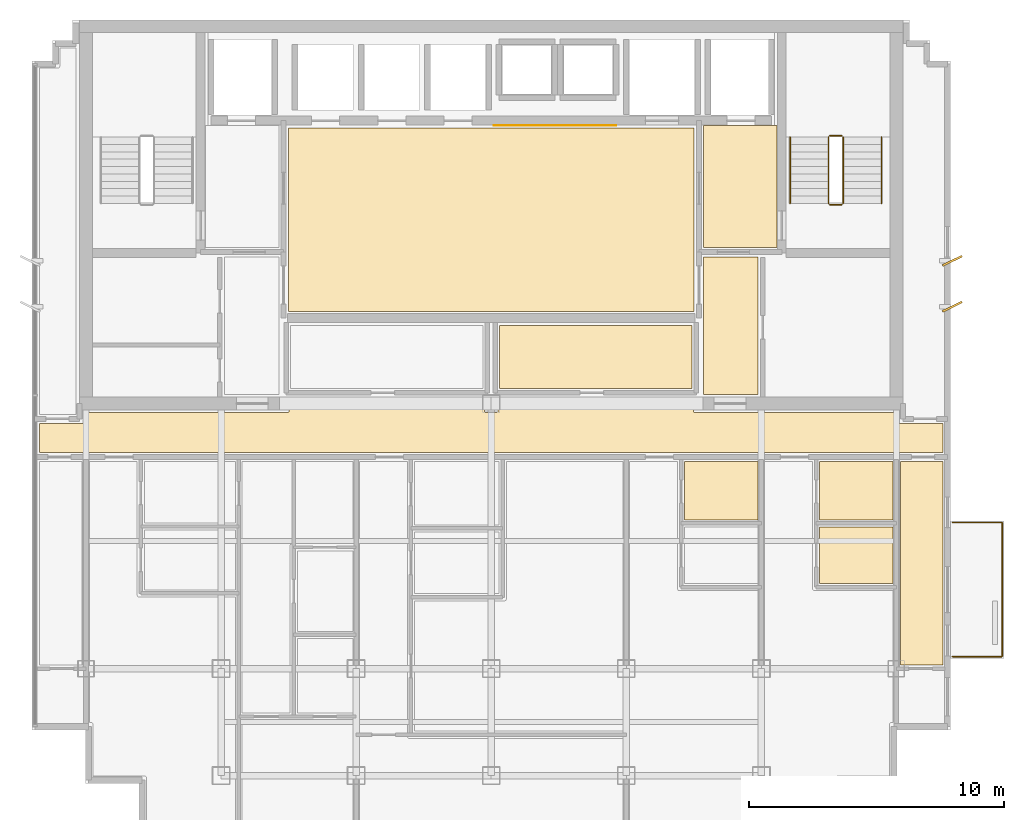
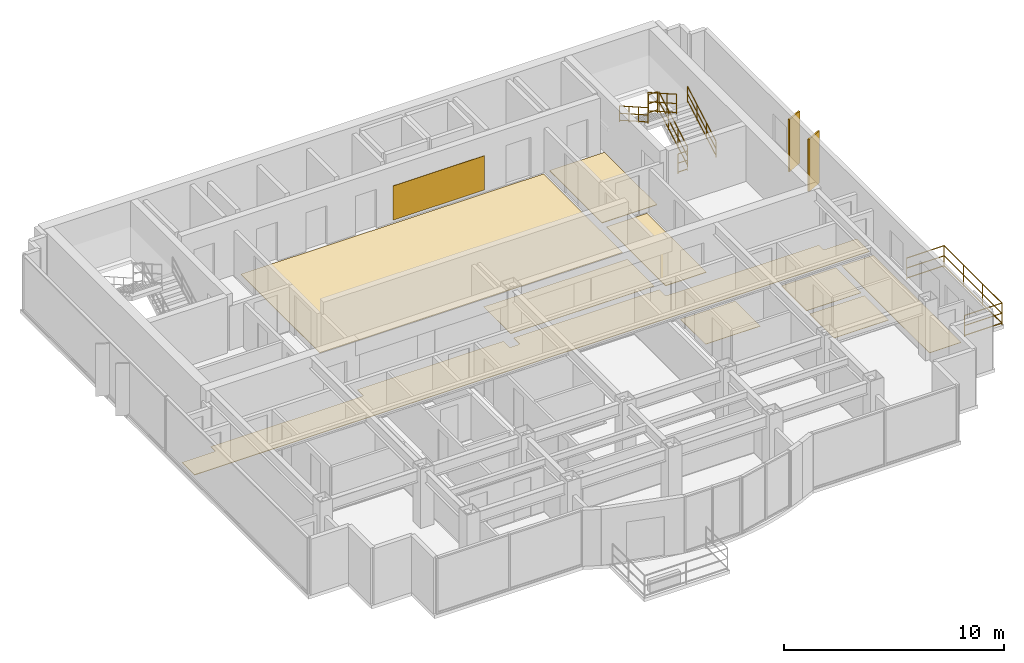
# One storey, part 9 of 9: 10 coverings, 7 railings, 2 shading devices.
"""IFC4 building model written with IfcOpenShell, lengths in metres."""

from ifc_helpers import new_model, si_unit, direction, frame, origin, origin_2d, place, context, subcontext, project, spatial, polyline, rectangle, circle, outline, extrude, source, transform, mapped, material, layer, layer_set, type_object, element, save


model = new_model("IFC4")

# Units and contexts
model_context = context("Model", 3, precision=1e-05, world=origin(), true_north=direction((0.0, 1.0)))
body_context = subcontext(model_context, "Body", "Model", "MODEL_VIEW")
ifc_project = project(units=[si_unit("LENGTHUNIT", "METRE"), si_unit("AREAUNIT", "SQUARE_METRE"), si_unit("VOLUMEUNIT", "CUBIC_METRE"), si_unit("PLANEANGLEUNIT", "RADIAN"), si_unit("MASSUNIT", "GRAM", prefix="KILO")], contexts=[model_context])

# Site, building, storey
site_placement = place(None, origin())
site = spatial("IfcSite", under=ifc_project, at=site_placement, CompositionType="ELEMENT")
building_placement = place(site_placement, origin())
building = spatial("IfcBuilding", under=site, at=building_placement, Name="Qianlan Lanfeng Residences", CompositionType="ELEMENT")
storey_placement = place(building_placement, frame((0.0, 0.0, 246.199951171875)))
storey = spatial("IfcBuildingStorey", under=building, at=storey_placement, Name="L68", CompositionType="ELEMENT", Elevation=246.199951171875)

# Coverings
ifc_material_1 = material(Name="Anodised Bronze Feature Wall Cladding")
ifc_layer_1 = layer(ifc_material_1, 0.02490234375)
ifc_layer_set_1 = layer_set([ifc_layer_1], Name="Anodised Bronze Feature Wall Cladding")
covering_type_1 = type_object("IfcCoveringType", Name="CLD-BRZ-25", PredefinedType="CLADDING", material=ifc_layer_set_1)
covering_1_placement = place(storey_placement, frame((0.0, 0.0, 0.150146484375)))
element("IfcCovering", 1, at=covering_1_placement, inside=storey, type_object=covering_type_1, Name="L68 Lift Lobby Bronze Feature Cladding", PredefinedType="CLADDING", context=body_context, shape_type="SweptSolid", body=[
    extrude(outline(polyline([(26.60009765625, 36.10009765625), (31.39990234375, 36.10009765625), (31.39990234375, 36.125), (26.60009765625, 36.125), (26.60009765625, 36.10009765625)])), origin(), (0.0, 0.0, 1.0), 1.89990234375),
])
ifc_material_2 = material(Name="Honed Taitung Granite Stone Flooring", Category="masonry")
ifc_layer_2 = layer(ifc_material_2, 0.030029296875)
ifc_layer_set_2 = layer_set([ifc_layer_2], Name="Honed Taitung Granite Stone Flooring")
covering_type_2 = type_object("IfcCoveringType", Name="FLR-STN-30", PredefinedType="FLOORING", material=ifc_layer_set_2)
covering_2_placement = place(storey_placement, origin())
element("IfcCovering", 2, at=covering_2_placement, inside=storey, type_object=covering_type_2, Name="L68 Firefighting Lift Lobby Floor Finish", PredefinedType="FLOORING", context=body_context, shape_type="SweptSolid", body=[
    extrude(outline(polyline([(34.820068359375, 31.320068359375), (37.7099609375, 31.320068359375), (37.7099609375, 36.110107421875), (34.820068359375, 36.110107421875), (34.820068359375, 31.320068359375)])), origin(), (0.0, 0.0, 1.0), 0.030029296875),
])
covering_3_placement = place(storey_placement, origin())
element("IfcCovering", 3, at=covering_3_placement, inside=storey, type_object=covering_type_2, Name="L68 Lift Lobby Floor Finish", PredefinedType="FLOORING", context=body_context, shape_type="SweptSolid", body=[
    extrude(outline(polyline([(18.550048828125, 28.820068359375), (34.449951171875, 28.820068359375), (34.449951171875, 36.010009765625), (18.550048828125, 36.010009765625), (18.550048828125, 28.820068359375)])), origin(), (0.0, 0.0, 1.0), 0.030029296875),
])
covering_4_placement = place(storey_placement, origin())
element("IfcCovering", 4, at=covering_4_placement, inside=storey, type_object=covering_type_2, Name="L68 Residential Corridor Floor Finish", PredefinedType="FLOORING", context=body_context, shape_type="SweptSolid", body=[
    extrude(outline(polyline([(8.77001953125, 23.280029296875), (44.22998046875, 23.280029296875), (44.22998046875, 24.419921875), (42.5400390625, 24.419921875), (42.532958984375, 24.419921875), (42.52587890625, 24.4208984375), (42.52001953125, 24.423095703125), (42.512939453125, 24.425048828125), (42.507080078125, 24.427978515625), (42.5009765625, 24.431884765625), (42.49609375, 24.43603515625), (42.490966796875, 24.44091796875), (42.486083984375, 24.446044921875), (42.48193359375, 24.450927734375), (42.47802734375, 24.45703125), (42.47509765625, 24.462890625), (42.472900390625, 24.469970703125), (42.470947265625, 24.47607421875), (42.469970703125, 24.48291015625), (42.469970703125, 24.489990234375), (42.469970703125, 24.85009765625), (34.5, 24.85009765625), (34.492919921875, 24.85009765625), (34.486083984375, 24.85107421875), (34.47998046875, 24.85302734375), (34.472900390625, 24.85498046875), (34.467041015625, 24.85791015625), (34.4609375, 24.862060546875), (34.4560546875, 24.865966796875), (34.450927734375, 24.87109375), (34.446044921875, 24.8759765625), (34.44189453125, 24.881103515625), (34.43798828125, 24.886962890625), (34.43505859375, 24.89306640625), (34.43310546875, 24.89990234375), (34.430908203125, 24.906005859375), (34.429931640625, 24.9130859375), (34.429931640625, 24.919921875), (34.429931640625, 25.429931640625), (26.77001953125, 25.429931640625), (26.77001953125, 24.919921875), (26.77001953125, 24.9130859375), (26.76904296875, 24.906005859375), (26.76708984375, 24.89990234375), (26.764892578125, 24.89306640625), (26.761962890625, 24.886962890625), (26.758056640625, 24.881103515625), (26.75390625, 24.8759765625), (26.7490234375, 24.87109375), (26.743896484375, 24.865966796875), (26.739013671875, 24.862060546875), (26.73291015625, 24.85791015625), (26.72705078125, 24.85498046875), (26.719970703125, 24.85302734375), (26.714111328125, 24.85107421875), (26.70703125, 24.85009765625), (26.699951171875, 24.85009765625), (26.300048828125, 24.85009765625), (26.29296875, 24.85009765625), (26.285888671875, 24.85107421875), (26.280029296875, 24.85302734375), (26.27294921875, 24.85498046875), (26.26708984375, 24.85791015625), (26.260986328125, 24.862060546875), (26.256103515625, 24.865966796875), (26.2509765625, 24.87109375), (26.24609375, 24.8759765625), (26.241943359375, 24.881103515625), (26.238037109375, 24.886962890625), (26.235107421875, 24.89306640625), (26.23291015625, 24.89990234375), (26.23095703125, 24.906005859375), (26.22998046875, 24.9130859375), (26.22998046875, 24.919921875), (26.22998046875, 25.429931640625), (18.570068359375, 25.429931640625), (18.570068359375, 24.919921875), (18.570068359375, 24.9130859375), (18.569091796875, 24.906005859375), (18.56689453125, 24.89990234375), (18.56494140625, 24.89306640625), (18.56201171875, 24.886962890625), (18.55810546875, 24.881103515625), (18.553955078125, 24.8759765625), (18.549072265625, 24.87109375), (18.5439453125, 24.865966796875), (18.5390625, 24.862060546875), (18.532958984375, 24.85791015625), (18.527099609375, 24.85498046875), (18.52001953125, 24.85302734375), (18.513916015625, 24.85107421875), (18.507080078125, 24.85009765625), (18.5, 24.85009765625), (10.530029296875, 24.85009765625), (10.530029296875, 24.489990234375), (10.530029296875, 24.48291015625), (10.529052734375, 24.47607421875), (10.527099609375, 24.469970703125), (10.52490234375, 24.462890625), (10.52197265625, 24.45703125), (10.51806640625, 24.450927734375), (10.513916015625, 24.446044921875), (10.509033203125, 24.44091796875), (10.50390625, 24.43603515625), (10.4990234375, 24.431884765625), (10.492919921875, 24.427978515625), (10.487060546875, 24.425048828125), (10.47998046875, 24.423095703125), (10.47412109375, 24.4208984375), (10.467041015625, 24.419921875), (10.4599609375, 24.419921875), (8.77001953125, 24.419921875), (8.77001953125, 23.280029296875)])), origin(), (0.0, 0.0, 1.0), 0.030029296875),
])
covering_5_placement = place(storey_placement, origin())
element("IfcCovering", 5, at=covering_5_placement, inside=storey, type_object=covering_type_2, Name="L68 Lift Lobby Floor Finish", PredefinedType="FLOORING", context=body_context, shape_type="SweptSolid", body=[
    extrude(outline(polyline([(34.830078125, 25.56005859375), (36.969970703125, 25.56005859375), (36.969970703125, 30.949951171875), (34.830078125, 30.949951171875), (34.830078125, 25.56005859375)])), origin(), (0.0, 0.0, 1.0), 0.030029296875),
])
ifc_material_3 = material(Name="Slip-Resistant Porcelain Tile Flooring")
ifc_layer_3 = layer(ifc_material_3, 0.02001953125)
ifc_layer_set_3 = layer_set([ifc_layer_3], Name="Slip-Resistant Porcelain Tile Flooring")
covering_type_3 = type_object("IfcCoveringType", Name="FLR-TIL-20", PredefinedType="FLOORING", material=ifc_layer_set_3)
covering_6_placement = place(storey_placement, origin())
element("IfcCovering", 6, at=covering_6_placement, inside=storey, type_object=covering_type_3, Name="L68 Bathroom Floor Finish", PredefinedType="FLOORING", context=body_context, shape_type="SweptSolid", body=[
    extrude(outline(polyline([(34.090087890625, 20.639892578125), (36.9599609375, 20.639892578125), (36.9599609375, 22.929931640625), (34.090087890625, 22.929931640625), (34.090087890625, 20.639892578125)])), origin(), (0.0, 0.0, 1.0), 0.02001953125),
])
covering_7_placement = place(storey_placement, origin())
element("IfcCovering", 7, at=covering_7_placement, inside=storey, type_object=covering_type_3, Name="L68 Kitchen Floor Finish", PredefinedType="FLOORING", context=body_context, shape_type="SweptSolid", body=[
    extrude(outline(polyline([(39.389892578125, 18.139892578125), (42.260009765625, 18.139892578125), (42.260009765625, 20.360107421875), (39.389892578125, 20.360107421875), (39.389892578125, 18.139892578125)])), origin(), (0.0, 0.0, 1.0), 0.02001953125),
])
covering_8_placement = place(storey_placement, origin())
element("IfcCovering", 8, at=covering_8_placement, inside=storey, type_object=covering_type_3, Name="L68 Bathroom Floor Finish", PredefinedType="FLOORING", context=body_context, shape_type="SweptSolid", body=[
    extrude(outline(polyline([(39.389892578125, 20.639892578125), (42.260009765625, 20.639892578125), (42.260009765625, 22.929931640625), (39.389892578125, 22.929931640625), (39.389892578125, 20.639892578125)])), origin(), (0.0, 0.0, 1.0), 0.02001953125),
])
ifc_material_4 = material(Name="Engineered Smoked Oak Timber Flooring", Category="wood")
ifc_layer_4 = layer(ifc_material_4, 0.02197265625)
ifc_layer_set_4 = layer_set([ifc_layer_4], Name="Engineered Smoked Oak Timber Flooring")
covering_type_4 = type_object("IfcCoveringType", Name="FLR-TIM-22", PredefinedType="FLOORING", material=ifc_layer_set_4)
covering_9_placement = place(storey_placement, origin())
element("IfcCovering", 9, at=covering_9_placement, inside=storey, type_object=covering_type_4, Name="L68 Tea Room Floor Finish", PredefinedType="FLOORING", context=body_context, shape_type="SweptSolid", body=[
    extrude(outline(polyline([(26.830078125, 25.800048828125), (34.3701171875, 25.800048828125), (34.3701171875, 28.2548828125), (26.830078125, 28.2548828125), (26.830078125, 25.800048828125)])), origin(), (0.0, 0.0, 1.0), 0.02197265625),
])
covering_10_placement = place(storey_placement, origin())
element("IfcCovering", 10, at=covering_10_placement, inside=storey, type_object=covering_type_4, Name="L68 Private Study Floor Finish", PredefinedType="FLOORING", context=body_context, shape_type="SweptSolid", body=[
    extrude(outline(polyline([(44.22998046875, 22.929931640625), (42.56005859375, 22.929931640625), (42.56005859375, 14.949951171875), (44.22998046875, 14.949951171875), (44.22998046875, 22.929931640625)])), origin(), (0.0, 0.0, 1.0), 0.02197265625),
])

# Railings
ifc_material_5 = material(Name="Anodised Bronze Aluminium and Laminated Glass Guard Balustrade", Category="aluminium")
railing_type_1 = type_object("IfcRailingType", Name="GR-EXT-1220", PredefinedType="BALUSTRADE", material=ifc_material_5)
railing_1_placement = place(storey_placement, frame((44.590087890625, 20.530029296875, 0.0)))
element("IfcRailing", 11, at=railing_1_placement, inside=storey, type_object=railing_type_1, Name="L68 Terrace Safety Guard GR-L68-EB-S", PredefinedType="BALUSTRADE", context=body_context, shape_type="SweptSolid", body=[
    extrude(circle(Radius=0.02490234375, at=origin_2d()), frame((0.0, 0.0, 0.0849609375), z_axis=(1.0, 0.0, 0.0), x_axis=(0.0, 1.0, 0.0)), (0.0, 0.0, 1.0), 1.9599609375),
    extrude(circle(Radius=0.02490234375, at=origin_2d()), frame((0.0, 0.0, 0.63427734375), z_axis=(1.0, 0.0, 0.0), x_axis=(0.0, 1.0, 0.0)), (0.0, 0.0, 1.0), 1.9599609375),
    extrude(circle(Radius=0.02490234375, at=origin_2d()), frame((0.0, 0.0, 1.19482421875), z_axis=(1.0, 0.0, 0.0), x_axis=(0.0, 1.0, 0.0)), (0.0, 0.0, 1.0), 1.9599609375),
    extrude(circle(Radius=0.02490234375, at=origin_2d()), frame((1.9599609375, 0.0, 0.0849609375), z_axis=(0.0, -1.0, 0.0), x_axis=(1.0, 0.0, 0.0)), (0.0, 0.0, 1.0), 5.260009765625),
    extrude(circle(Radius=0.02490234375, at=origin_2d()), frame((1.9599609375, 0.0, 0.63427734375), z_axis=(0.0, -1.0, 0.0), x_axis=(1.0, 0.0, 0.0)), (0.0, 0.0, 1.0), 5.260009765625),
    extrude(circle(Radius=0.02490234375, at=origin_2d()), frame((1.9599609375, 0.0, 1.19482421875), z_axis=(0.0, -1.0, 0.0), x_axis=(1.0, 0.0, 0.0)), (0.0, 0.0, 1.0), 5.260009765625),
    extrude(circle(Radius=0.02490234375, at=origin_2d()), frame((1.9599609375, -5.260009765625, 0.0849609375), z_axis=(-1.0, 0.0, 0.0), x_axis=(0.0, -1.0, 0.0)), (0.0, 0.0, 1.0), 1.9599609375),
    extrude(circle(Radius=0.02490234375, at=origin_2d()), frame((1.9599609375, -5.260009765625, 0.63427734375), z_axis=(-1.0, 0.0, 0.0), x_axis=(0.0, -1.0, 0.0)), (0.0, 0.0, 1.0), 1.9599609375),
    extrude(circle(Radius=0.02490234375, at=origin_2d()), frame((1.9599609375, -5.260009765625, 1.19482421875), z_axis=(-1.0, 0.0, 0.0), x_axis=(0.0, -1.0, 0.0)), (0.0, 0.0, 1.0), 1.9599609375),
    extrude(circle(Radius=0.02099609375, at=origin_2d()), origin(), (0.0, 0.0, 1.0), 1.169921875),
    extrude(circle(Radius=0.02099609375, at=origin_2d()), frame((1.9599609375, 0.0, 0.0)), (0.0, 0.0, 1.0), 1.169921875),
    extrude(circle(Radius=0.02099609375, at=origin_2d()), frame((1.9599609375, -1.75341796875, 0.0)), (0.0, 0.0, 1.0), 1.169921875),
    extrude(circle(Radius=0.02099609375, at=origin_2d()), frame((1.9599609375, -3.506591796875, 0.0)), (0.0, 0.0, 1.0), 1.169921875),
    extrude(circle(Radius=0.02099609375, at=origin_2d()), frame((1.9599609375, -5.260009765625, 0.0)), (0.0, 0.0, 1.0), 1.169921875),
    extrude(circle(Radius=0.02099609375, at=origin_2d()), frame((0.0, -5.260009765625, 0.0)), (0.0, 0.0, 1.0), 1.169921875),
])
ifc_material_6 = material(Name="Painted Galvanised Steel Guardrail", Category="steel")
railing_type_2 = type_object("IfcRailingType", Name="GR-ST-1120", PredefinedType="GUARDRAIL", material=ifc_material_6)
railing_2_placement = place(storey_placement, frame((40.31005859375, 33.050048828125, 0.1650390625)))
element("IfcRailing", 12, at=railing_2_placement, inside=storey, type_object=railing_type_2, Name="L68 ST-2 stair guard 1", PredefinedType="GUARDRAIL", context=body_context, shape_type="SweptSolid", body=[
    extrude(circle(Radius=0.02392578125, at=origin_2d()), frame((0.0, 0.0, 0.083984375), z_axis=(0.0, 0.869137319866, 0.494570843475), x_axis=(-1.0, 0.0, 0.0)), (0.0, 0.0, 1.0), 3.0029296875),
    extrude(circle(Radius=0.02392578125, at=origin_2d()), frame((0.0, 0.0, 0.58251953125), z_axis=(0.0, 0.869137319866, 0.494570843475), x_axis=(-1.0, 0.0, 0.0)), (0.0, 0.0, 1.0), 3.0029296875),
    extrude(circle(Radius=0.02392578125, at=origin_2d()), frame((0.0, 0.0, 1.09619140625), z_axis=(0.0, 0.869137319866, 0.494570843475), x_axis=(-1.0, 0.0, 0.0)), (0.0, 0.0, 1.0), 3.0029296875),
    extrude(circle(Radius=0.02099609375, at=origin_2d()), origin(), (0.0, 0.0, 1.0), 1.072021484375),
    extrude(circle(Radius=0.02099609375, at=origin_2d()), frame((0.0, 0.869873046875, 0.4951171875)), (0.0, 0.0, 1.0), 1.072021484375),
    extrude(circle(Radius=0.02099609375, at=origin_2d()), frame((0.0, 1.739990234375, 0.989990234375)), (0.0, 0.0, 1.0), 1.072021484375),
    extrude(circle(Radius=0.02099609375, at=origin_2d()), frame((0.0, 2.60986328125, 1.485107421875)), (0.0, 0.0, 1.0), 1.072021484375),
])
railing_3_placement = place(storey_placement, frame((40.260009765625, 35.7099609375, 1.650146484375)))
element("IfcRailing", 13, at=railing_3_placement, inside=storey, type_object=railing_type_2, Name="L68 ST-2 stair guard 2", PredefinedType="GUARDRAIL", context=body_context, shape_type="SweptSolid", body=[
    extrude(circle(Radius=0.02392578125, at=origin_2d()), frame((0.0, 0.0, 0.083984375), z_axis=(-1.0, 0.0, 0.0), x_axis=(0.0, -1.0, 0.0)), (0.0, 0.0, 1.0), 0.47998046875),
    extrude(circle(Radius=0.02392578125, at=origin_2d()), frame((0.0, 0.0, 0.58251953125), z_axis=(-1.0, 0.0, 0.0), x_axis=(0.0, -1.0, 0.0)), (0.0, 0.0, 1.0), 0.47998046875),
    extrude(circle(Radius=0.02392578125, at=origin_2d()), frame((0.0, 0.0, 1.09619140625), z_axis=(-1.0, 0.0, 0.0), x_axis=(0.0, -1.0, 0.0)), (0.0, 0.0, 1.0), 0.47998046875),
    extrude(circle(Radius=0.02099609375, at=origin_2d()), origin(), (0.0, 0.0, 1.0), 1.072021484375),
    extrude(circle(Radius=0.02099609375, at=origin_2d()), frame((-0.47998046875, 0.0, 0.0)), (0.0, 0.0, 1.0), 1.072021484375),
])
railing_4_placement = place(storey_placement, frame((39.72998046875, 35.659912109375, 1.81494140625)))
element("IfcRailing", 14, at=railing_4_placement, inside=storey, type_object=railing_type_2, Name="L68 ST-2 stair guard 3", PredefinedType="GUARDRAIL", context=body_context, shape_type="SweptSolid", body=[
    extrude(circle(Radius=0.02392578125, at=origin_2d()), frame((0.0, 0.0, 0.083984375), z_axis=(0.0, -0.869137319866, 0.494570843475), x_axis=(1.0, 0.0, 0.0)), (0.0, 0.0, 1.0), 3.0029296875),
    extrude(circle(Radius=0.02392578125, at=origin_2d()), frame((0.0, 0.0, 0.58251953125), z_axis=(0.0, -0.869137319866, 0.494570843475), x_axis=(1.0, 0.0, 0.0)), (0.0, 0.0, 1.0), 3.0029296875),
    extrude(circle(Radius=0.02392578125, at=origin_2d()), frame((0.0, 0.0, 1.09619140625), z_axis=(0.0, -0.869137319866, 0.494570843475), x_axis=(1.0, 0.0, 0.0)), (0.0, 0.0, 1.0), 3.0029296875),
    extrude(circle(Radius=0.02099609375, at=origin_2d()), origin(), (0.0, 0.0, 1.0), 1.072021484375),
    extrude(circle(Radius=0.02099609375, at=origin_2d()), frame((0.0, -0.869873046875, 0.4951171875)), (0.0, 0.0, 1.0), 1.072021484375),
    extrude(circle(Radius=0.02099609375, at=origin_2d()), frame((0.0, -1.739990234375, 0.989990234375)), (0.0, 0.0, 1.0), 1.072021484375),
    extrude(circle(Radius=0.02099609375, at=origin_2d()), frame((0.0, -2.60986328125, 1.485107421875)), (0.0, 0.0, 1.0), 1.072021484375),
])
railing_5_placement = place(storey_placement, frame((40.260009765625, 33.0, 0.0)))
element("IfcRailing", 15, at=railing_5_placement, inside=storey, type_object=railing_type_2, Name="L68 ST-2 stair guard 4", PredefinedType="GUARDRAIL", context=body_context, shape_type="SweptSolid", body=[
    extrude(circle(Radius=0.02392578125, at=origin_2d()), frame((0.0, 0.0, 0.083984375), z_axis=(-1.0, 0.0, 0.0), x_axis=(0.0, -1.0, 0.0)), (0.0, 0.0, 1.0), 0.47998046875),
    extrude(circle(Radius=0.02392578125, at=origin_2d()), frame((0.0, 0.0, 0.58251953125), z_axis=(-1.0, 0.0, 0.0), x_axis=(0.0, -1.0, 0.0)), (0.0, 0.0, 1.0), 0.47998046875),
    extrude(circle(Radius=0.02392578125, at=origin_2d()), frame((0.0, 0.0, 1.09619140625), z_axis=(-1.0, 0.0, 0.0), x_axis=(0.0, -1.0, 0.0)), (0.0, 0.0, 1.0), 0.47998046875),
    extrude(circle(Radius=0.02099609375, at=origin_2d()), origin(), (0.0, 0.0, 1.0), 1.072021484375),
    extrude(circle(Radius=0.02099609375, at=origin_2d()), frame((-0.47998046875, 0.0, 0.0)), (0.0, 0.0, 1.0), 1.072021484375),
])
ifc_material_7 = material(Name="Brushed Stainless Steel Handrail", Category="steel")
railing_type_3 = type_object("IfcRailingType", Name="HR-ST-920", PredefinedType="HANDRAIL", material=ifc_material_7)
railing_6_placement = place(storey_placement, frame((41.81005859375, 33.050048828125, 0.1650390625)))
element("IfcRailing", 16, at=railing_6_placement, inside=storey, type_object=railing_type_3, Name="L68 ST-2 stair handrail 1", PredefinedType="HANDRAIL", context=body_context, shape_type="SweptSolid", body=[
    extrude(circle(Radius=0.02392578125, at=origin_2d()), frame((0.0, 0.0, 0.083984375), z_axis=(0.0, 0.869137319866, 0.494570843475), x_axis=(-1.0, 0.0, 0.0)), (0.0, 0.0, 1.0), 3.0029296875),
    extrude(circle(Radius=0.02392578125, at=origin_2d()), frame((0.0, 0.0, 0.468017578125), z_axis=(0.0, 0.869137319866, 0.494570843475), x_axis=(-1.0, 0.0, 0.0)), (0.0, 0.0, 1.0), 3.0029296875),
    extrude(circle(Radius=0.02392578125, at=origin_2d()), frame((0.0, 0.0, 0.8759765625), z_axis=(0.0, 0.869137319866, 0.494570843475), x_axis=(-1.0, 0.0, 0.0)), (0.0, 0.0, 1.0), 3.0029296875),
    extrude(circle(Radius=0.02099609375, at=origin_2d()), origin(), (0.0, 0.0, 1.0), 0.851806640625),
    extrude(circle(Radius=0.02099609375, at=origin_2d()), frame((0.0, 0.869873046875, 0.4951171875)), (0.0, 0.0, 1.0), 0.851806640625),
    extrude(circle(Radius=0.02099609375, at=origin_2d()), frame((0.0, 1.739990234375, 0.989990234375)), (0.0, 0.0, 1.0), 0.851806640625),
    extrude(circle(Radius=0.02099609375, at=origin_2d()), frame((0.0, 2.60986328125, 1.485107421875)), (0.0, 0.0, 1.0), 0.851806640625),
])
railing_7_placement = place(storey_placement, frame((38.22998046875, 35.659912109375, 1.81494140625)))
element("IfcRailing", 17, at=railing_7_placement, inside=storey, type_object=railing_type_3, Name="L68 ST-2 stair handrail 2", PredefinedType="HANDRAIL", context=body_context, shape_type="SweptSolid", body=[
    extrude(circle(Radius=0.02392578125, at=origin_2d()), frame((0.0, 0.0, 0.083984375), z_axis=(0.0, -0.869137319866, 0.494570843475), x_axis=(1.0, 0.0, 0.0)), (0.0, 0.0, 1.0), 3.0029296875),
    extrude(circle(Radius=0.02392578125, at=origin_2d()), frame((0.0, 0.0, 0.468017578125), z_axis=(0.0, -0.869137319866, 0.494570843475), x_axis=(1.0, 0.0, 0.0)), (0.0, 0.0, 1.0), 3.0029296875),
    extrude(circle(Radius=0.02392578125, at=origin_2d()), frame((0.0, 0.0, 0.8759765625), z_axis=(0.0, -0.869137319866, 0.494570843475), x_axis=(1.0, 0.0, 0.0)), (0.0, 0.0, 1.0), 3.0029296875),
    extrude(circle(Radius=0.02099609375, at=origin_2d()), origin(), (0.0, 0.0, 1.0), 0.851806640625),
    extrude(circle(Radius=0.02099609375, at=origin_2d()), frame((0.0, -0.869873046875, 0.4951171875)), (0.0, 0.0, 1.0), 0.851806640625),
    extrude(circle(Radius=0.02099609375, at=origin_2d()), frame((0.0, -1.739990234375, 0.989990234375)), (0.0, 0.0, 1.0), 0.851806640625),
    extrude(circle(Radius=0.02099609375, at=origin_2d()), frame((0.0, -2.60986328125, 1.485107421875)), (0.0, 0.0, 1.0), 0.851806640625),
])

# Shading devices
ifc_material_8 = material(Name="Anodised Bronze Aluminium Solar Fin", Category="aluminium")
shading_device_type = type_object("IfcShadingDeviceType", Name="FIN-BRZ-850", PredefinedType="SHUTTER", material=ifc_material_8)
shared_shape = source(origin(), body_context, "Body", "SweptSolid", [
    extrude(rectangle(XDim=0.85009765625, YDim=0.080078125, at=origin_2d()), origin(), (0.0, 0.0, 1.0), 2.89990234375),
])
for number, where, z_axis, x_axis, name in (
    (18, (44.590087890625, 29.0, 0.0), (0.0, 0.0, 1.0), (0.898794046299, 0.438371146789, 0.0), "L68 Raked Bronze Solar Fin E1"),
    (19, (44.590087890625, 30.800048828125, 0.0), (0.0, 0.0, 1.0), (0.898794046299, 0.438371146789, 0.0), "L68 Raked Bronze Solar Fin E2"),
):
    element("IfcShadingDevice", number, at=place(storey_placement, frame(where, z_axis=z_axis, x_axis=x_axis)), inside=storey, type_object=shading_device_type, Name=name, PredefinedType="SHUTTER", context=body_context, shape_type="MappedRepresentation", body=[
        mapped(shared_shape, transform((0.0, 0.0, 0.0), scale=1.0)),
    ])

save(model, "model.ifc")
